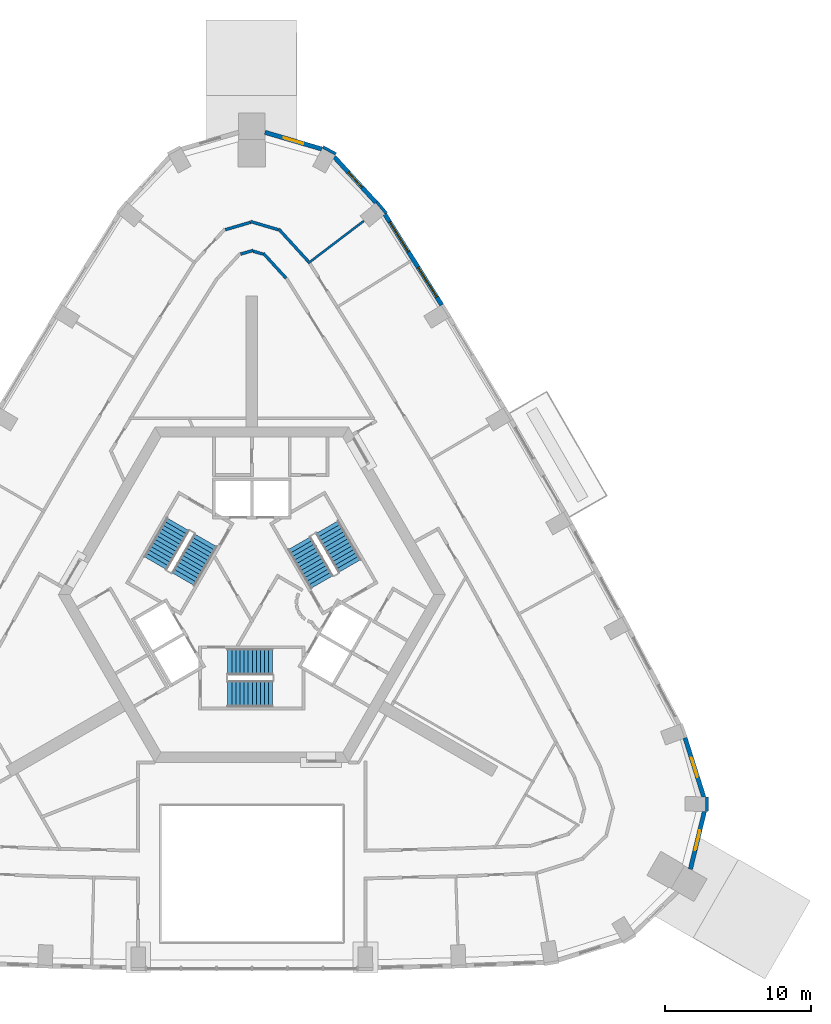
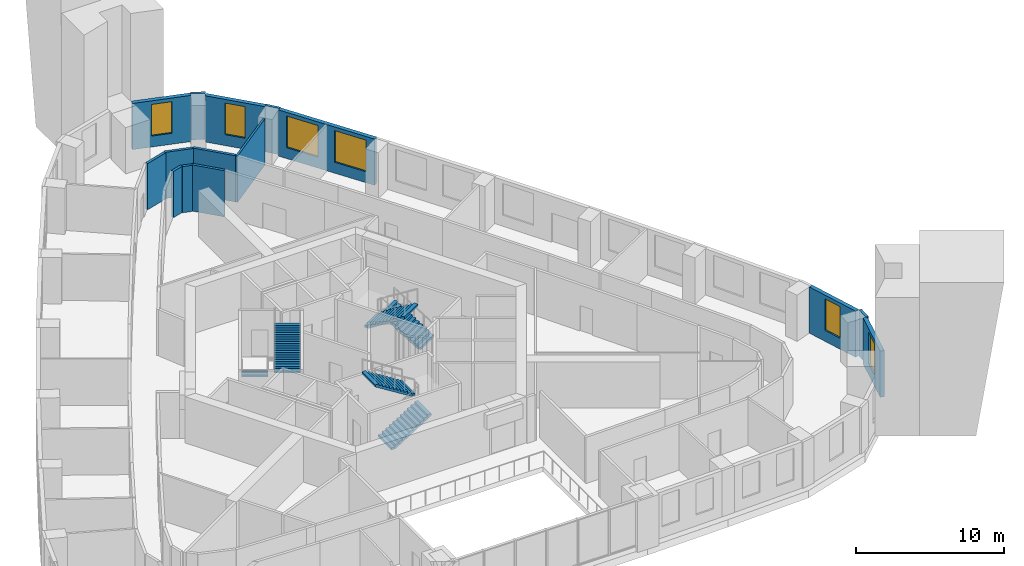
# One storey, part 10 of 13: 15 walls, 6 stair flights, 6 windows, 6 openings, 3 elements without a shape of their own.
"""IFC4 building model written with IfcOpenShell, lengths in metres."""

from ifc_helpers import new_model, si_unit, direction, frame, frame_2d, origin, place, context, subcontext, project, spatial, polyline, rectangle, outline, extrude, material, layer, layer_set, type_object, element, fill, aggregate, save


model = new_model("IFC4")

# Units and contexts
model_context = context("Model", 3, precision=1e-05, world=origin(), true_north=direction((0.0, 1.0)))
body_context = subcontext(model_context, "Body", "Model", "MODEL_VIEW")
ifc_project = project(units=[si_unit("LENGTHUNIT", "METRE"), si_unit("AREAUNIT", "SQUARE_METRE"), si_unit("VOLUMEUNIT", "CUBIC_METRE"), si_unit("PLANEANGLEUNIT", "RADIAN"), si_unit("MASSUNIT", "GRAM", prefix="KILO")], contexts=[model_context])

# Site, building, storey
site_placement = place(None, origin())
site = spatial("IfcSite", under=ifc_project, at=site_placement, CompositionType="ELEMENT")
building_placement = place(site_placement, origin())
building = spatial("IfcBuilding", under=site, at=building_placement, Name="Entoto Arch Interchange Tower", CompositionType="ELEMENT")
storey_placement = place(building_placement, frame((0.0, 0.0, 215.0)))
storey = spatial("IfcBuildingStorey", under=building, at=storey_placement, Name="L48", CompositionType="ELEMENT", Elevation=215.0)

# Walls
ifc_material_1 = material(Name="Gypsum board partition on steel studs", Category="steel")
ifc_layer_1 = layer(ifc_material_1, 0.14990234375)
ifc_layer_set_1 = layer_set([ifc_layer_1], Name="Gypsum board partition on steel studs")
wall_type_1 = type_object("IfcWallType", Name="PARTITION 150", PredefinedType="PARTITIONING", material=ifc_layer_set_1)
wall_1_placement = place(storey_placement, frame((3.85595703125, 25.22509765625, 0.0), z_axis=(0.0, 0.0, 1.0), x_axis=(0.795987848728, 0.605312600792, 0.0)))
element("IfcWall", 1, at=wall_1_placement, inside=storey, type_object=wall_type_1, Name="wall:L48:p122", PredefinedType="PARTITIONING", context=body_context, shape_type="SweptSolid", body=[
    extrude(rectangle(XDim=4.803955078125, YDim=0.14990234375, at=frame_2d((2.40185546875, 0.0))), origin(), (0.0, 0.0, 1.0), 3.800048828125),
])
ifc_layer_2 = layer(ifc_material_1, 0.199951171875)
ifc_layer_set_2 = layer_set([ifc_layer_2], Name="Gypsum board partition on steel studs")
wall_type_2 = type_object("IfcWallType", Name="PARTITION 200", PredefinedType="PARTITIONING", material=ifc_layer_set_2)
wall_2_placement = place(storey_placement, frame((2.35009765625, 24.205078125, 0.0), z_axis=(0.0, 0.0, 1.0), x_axis=(-0.67475930229, 0.738037860799, 0.0)))
element("IfcWall", 2, at=wall_2_placement, inside=storey, type_object=wall_type_2, Name="wall:L48:p008", PredefinedType="PARTITIONING", context=body_context, shape_type="SweptSolid", body=[
    extrude(rectangle(XDim=2.30322265625, YDim=0.199951171875, at=frame_2d((1.151611328125, 0.0))), origin(), (0.0, 0.0, 1.0), 3.800048828125),
])
wall_3_placement = place(storey_placement, frame((0.76806640625, 25.860107421875, 0.0), z_axis=(0.0, 0.0, 1.0), x_axis=(-0.959714481723, 0.280977069476, 0.0)))
element("IfcWall", 3, at=wall_3_placement, inside=storey, type_object=wall_type_2, Name="wall:L48:p009", PredefinedType="PARTITIONING", context=body_context, shape_type="SweptSolid", body=[
    extrude(rectangle(XDim=0.700439453125, YDim=0.199951171875, at=frame_2d((0.35009765625, 0.0))), origin(), (0.0, 0.0, 1.0), 3.800048828125),
])
wall_4_placement = place(storey_placement, frame((0.095947265625, 26.113037109375, 0.0), z_axis=(0.0, 0.0, 1.0), x_axis=(-0.959723140705, -0.280947491882, 0.0)))
element("IfcWall", 4, at=wall_4_placement, inside=storey, type_object=wall_type_2, Name="wall:L48:p010", PredefinedType="PARTITIONING", context=body_context, shape_type="SweptSolid", body=[
    extrude(rectangle(XDim=0.900390625, YDim=0.199951171875, at=frame_2d((0.4501953125, 0.0))), origin(), (0.0, 0.0, 1.0), 3.800048828125),
])
wall_5_placement = place(storey_placement, frame((-1.81298828125, 27.532958984375, 0.0), z_axis=(0.0, 0.0, 1.0), x_axis=(0.959495744111, 0.281723121227, 0.0)))
element("IfcWall", 5, at=wall_5_placement, inside=storey, type_object=wall_type_2, Name="wall:L48:p049", PredefinedType="PARTITIONING", context=body_context, shape_type="SweptSolid", body=[
    extrude(rectangle(XDim=1.78955078125, YDim=0.199951171875, at=frame_2d((0.894775390625, 0.0))), origin(), (0.0, 0.0, 1.0), 3.800048828125),
])
wall_6_placement = place(storey_placement, frame((-0.095947265625, 28.093994140625, 0.0), z_axis=(0.0, 0.0, 1.0), x_axis=(0.959422144877, -0.281973665293, 0.0)))
element("IfcWall", 6, at=wall_6_placement, inside=storey, type_object=wall_type_2, Name="wall:L48:p050", PredefinedType="PARTITIONING", context=body_context, shape_type="SweptSolid", body=[
    extrude(rectangle(XDim=1.98974609375, YDim=0.199951171875, at=frame_2d((0.994873046875, 0.0))), origin(), (0.0, 0.0, 1.0), 3.800048828125),
])
wall_7_placement = place(storey_placement, frame((1.841064453125, 27.5791015625, 0.0), z_axis=(0.0, 0.0, 1.0), x_axis=(0.674594755709, -0.738188265668, 0.0)))
element("IfcWall", 7, at=wall_7_placement, inside=storey, type_object=wall_type_2, Name="wall:L48:p051", PredefinedType="PARTITIONING", context=body_context, shape_type="SweptSolid", body=[
    extrude(rectangle(XDim=3.006103515625, YDim=0.199951171875, at=frame_2d((1.5029296875, 0.0))), origin(), (0.0, 0.0, 1.0), 3.800048828125),
])

# Wall, opening, window
ifc_material_2 = material(Name="Welded tuff (ignimbrite) cladding, warm buff", Category="masonry")
ifc_layer_3 = layer(ifc_material_2, 0.300048828125)
ifc_layer_set_3 = layer_set([ifc_layer_3], Name="Welded tuff (ignimbrite) cladding, warm buff")
wall_type_3 = type_object("IfcWallType", Name="STONE INFILL WALL 300", PredefinedType="STANDARD", material=ifc_layer_set_3)
wall_8_placement = place(storey_placement, frame((30.076904296875, -16.326904296875, 0.0), z_axis=(0.0, 0.0, 1.0), x_axis=(0.235766276378, 0.971809787419, 0.0)))
wall_8 = element("IfcWall", 8, at=wall_8_placement, inside=storey, type_object=wall_type_3, Name="Facade wall SE-03 L48", PredefinedType="STANDARD", context=body_context, shape_type="SweptSolid", body=[
    extrude(rectangle(XDim=4.076904296875, YDim=0.300048828125, at=frame_2d((2.03857421875, 0.0))), origin(), (0.0, 0.0, 1.0), 3.800048828125),
])
opening_1_placement = place(wall_8_placement, frame((1.337890625, 0.0, 0.89990234375)))
opening_1 = element("IfcOpeningElement", 9, at=opening_1_placement, cuts=wall_8, Name="Opening WO-B", PredefinedType="OPENING", context=body_context, shape_type="SweptSolid", body=[
    extrude(rectangle(XDim=1.39990234375, YDim=2.60009765625, at=frame_2d((0.699951171875, 1.300048828125))), frame((0.0, 0.16015625, 0.0), z_axis=(0.0, -1.0, 0.0), x_axis=(1.0, 0.0, 0.0)), (0.0, 0.0, 1.0), 0.320068359375),
])
ifc_material_3 = material(Name="Clear glass, low-e double glazed", Category="glass")
window_type_1 = type_object("IfcWindowType", Name="WINDOW WO-B 1400x2600", PartitioningType="DOUBLE_PANEL_VERTICAL", PredefinedType="WINDOW", material=ifc_material_3)
window_1_placement = place(opening_1_placement, origin())
window_1 = element("IfcWindow", 10, at=window_1_placement, inside=storey, type_object=window_type_1, Name="Window WO-B SE-03 L48", OverallHeight=2.60009765625, OverallWidth=1.39990234375, PartitioningType="SINGLE_PANEL", PredefinedType="WINDOW", context=body_context, shape_type="SweptSolid", body=[
    extrude(rectangle(XDim=1.39990234375, YDim=2.60009765625, at=frame_2d((0.699951171875, 1.300048828125))), frame((0.0, 0.030029296875, 0.0), z_axis=(0.0, -1.0, 0.0), x_axis=(1.0, 0.0, 0.0)), (0.0, 0.0, 1.0), 0.06005859375),
])
fill(opening_1, window_1)

wall_9_placement = place(storey_placement, frame((30.993896484375, -11.365966796875, 0.0), z_axis=(0.0, 0.0, 1.0), x_axis=(-0.302195467572, 0.953245980521, 0.0)))
wall_9 = element("IfcWall", 11, at=wall_9_placement, inside=storey, type_object=wall_type_3, Name="Facade wall SE-04 L48", PredefinedType="STANDARD", context=body_context, shape_type="SweptSolid", body=[
    extrude(rectangle(XDim=4.248779296875, YDim=0.300048828125, at=frame_2d((2.12451171875, 0.0))), origin(), (0.0, 0.0, 1.0), 3.800048828125),
])
opening_2_placement = place(wall_9_placement, frame((1.424072265625, 0.0, 0.89990234375)))
opening_2 = element("IfcOpeningElement", 12, at=opening_2_placement, cuts=wall_9, Name="Opening WO-B", PredefinedType="OPENING", context=body_context, shape_type="SweptSolid", body=[
    extrude(rectangle(XDim=1.39990234375, YDim=2.60009765625, at=frame_2d((0.699951171875, 1.300048828125))), frame((0.0, 0.16015625, 0.0), z_axis=(0.0, -1.0, 0.0), x_axis=(1.0, 0.0, 0.0)), (0.0, 0.0, 1.0), 0.320068359375),
])
window_2_placement = place(opening_2_placement, origin())
window_2 = element("IfcWindow", 13, at=window_2_placement, inside=storey, type_object=window_type_1, Name="Window WO-B SE-04 L48", OverallHeight=2.60009765625, OverallWidth=1.39990234375, PartitioningType="SINGLE_PANEL", PredefinedType="WINDOW", context=body_context, shape_type="SweptSolid", body=[
    extrude(rectangle(XDim=1.39990234375, YDim=2.60009765625, at=frame_2d((0.699951171875, 1.300048828125))), frame((0.0, 0.030029296875, 0.0), z_axis=(0.0, -1.0, 0.0), x_axis=(1.0, 0.0, 0.0)), (0.0, 0.0, 1.0), 0.06005859375),
])
fill(opening_2, window_2)

# Wall, openings, windows
wall_10_placement = place(storey_placement, frame((13.02099609375, 22.3740234375, 0.0), z_axis=(0.0, 0.0, 1.0), x_axis=(-0.531239262679, 0.847221839773, 0.0)))
wall_10 = element("IfcWall", 14, at=wall_10_placement, inside=storey, type_object=wall_type_3, Name="Facade wall NE-05 L48", PredefinedType="STANDARD", context=body_context, shape_type="SweptSolid", body=[
    extrude(rectangle(XDim=7.33935546875, YDim=0.300048828125, at=frame_2d((3.669677734375, 0.0))), origin(), (0.0, 0.0, 1.0), 3.800048828125),
])
opening_3_placement = place(wall_10_placement, frame((0.635009765625, 0.0, 0.89990234375)))
opening_3 = element("IfcOpeningElement", 15, at=opening_3_placement, cuts=wall_10, Name="Opening WO-A", PredefinedType="OPENING", context=body_context, shape_type="SweptSolid", body=[
    extrude(rectangle(XDim=2.39990234375, YDim=2.60009765625, at=frame_2d((1.199951171875, 1.300048828125))), frame((0.0, 0.16015625, 0.0), z_axis=(0.0, -1.0, 0.0), x_axis=(1.0, 0.0, 0.0)), (0.0, 0.0, 1.0), 0.320068359375),
])
opening_4_placement = place(wall_10_placement, frame((4.303955078125, 0.0, 0.89990234375)))
opening_4 = element("IfcOpeningElement", 16, at=opening_4_placement, cuts=wall_10, Name="Opening WO-A", PredefinedType="OPENING", context=body_context, shape_type="SweptSolid", body=[
    extrude(rectangle(XDim=2.39990234375, YDim=2.60009765625, at=frame_2d((1.199951171875, 1.300048828125))), frame((0.0, 0.16015625, 0.0), z_axis=(0.0, -1.0, 0.0), x_axis=(1.0, 0.0, 0.0)), (0.0, 0.0, 1.0), 0.320068359375),
])
window_type_2 = type_object("IfcWindowType", Name="WINDOW WO-A 2400x2600", PartitioningType="DOUBLE_PANEL_VERTICAL", PredefinedType="WINDOW", material=ifc_material_3)
window_3_placement = place(opening_3_placement, origin())
window_3 = element("IfcWindow", 17, at=window_3_placement, inside=storey, type_object=window_type_2, Name="Window WO-A NE-05 L48", OverallHeight=2.60009765625, OverallWidth=2.39990234375, PartitioningType="SINGLE_PANEL", PredefinedType="WINDOW", context=body_context, shape_type="SweptSolid", body=[
    extrude(rectangle(XDim=2.39990234375, YDim=2.60009765625, at=frame_2d((1.199951171875, 1.300048828125))), frame((0.0, 0.030029296875, 0.0), z_axis=(0.0, -1.0, 0.0), x_axis=(1.0, 0.0, 0.0)), (0.0, 0.0, 1.0), 0.06005859375),
])
fill(opening_3, window_3)
window_4_placement = place(opening_4_placement, origin())
window_4 = element("IfcWindow", 18, at=window_4_placement, inside=storey, type_object=window_type_2, Name="Window WO-A NE-05 L48", OverallHeight=2.60009765625, OverallWidth=2.39990234375, PartitioningType="SINGLE_PANEL", PredefinedType="WINDOW", context=body_context, shape_type="SweptSolid", body=[
    extrude(rectangle(XDim=2.39990234375, YDim=2.60009765625, at=frame_2d((1.199951171875, 1.300048828125))), frame((0.0, 0.030029296875, 0.0), z_axis=(0.0, -1.0, 0.0), x_axis=(1.0, 0.0, 0.0)), (0.0, 0.0, 1.0), 0.06005859375),
])
fill(opening_4, window_4)

# Wall, opening, window
wall_11_placement = place(storey_placement, frame((8.51806640625, 29.387939453125, 0.0), z_axis=(0.0, 0.0, 1.0), x_axis=(-0.674487390017, 0.738286367684, 0.0)))
wall_11 = element("IfcWall", 19, at=wall_11_placement, inside=storey, type_object=wall_type_3, Name="Facade wall N-01 L48", PredefinedType="STANDARD", context=body_context, shape_type="SweptSolid", body=[
    extrude(rectangle(XDim=4.24755859375, YDim=0.300048828125, at=frame_2d((2.123779296875, 0.0))), origin(), (0.0, 0.0, 1.0), 3.800048828125),
])
opening_5_placement = place(wall_11_placement, frame((1.424072265625, 0.0, 0.89990234375)))
opening_5 = element("IfcOpeningElement", 20, at=opening_5_placement, cuts=wall_11, Name="Opening WO-B", PredefinedType="OPENING", context=body_context, shape_type="SweptSolid", body=[
    extrude(rectangle(XDim=1.39990234375, YDim=2.60009765625, at=frame_2d((0.699951171875, 1.300048828125))), frame((0.0, 0.16015625, 0.0), z_axis=(0.0, -1.0, 0.0), x_axis=(1.0, 0.0, 0.0)), (0.0, 0.0, 1.0), 0.320068359375),
])
window_5_placement = place(opening_5_placement, origin())
window_5 = element("IfcWindow", 21, at=window_5_placement, inside=storey, type_object=window_type_1, Name="Window WO-B N-01 L48", OverallHeight=2.60009765625, OverallWidth=1.39990234375, PartitioningType="SINGLE_PANEL", PredefinedType="WINDOW", context=body_context, shape_type="SweptSolid", body=[
    extrude(rectangle(XDim=1.39990234375, YDim=2.60009765625, at=frame_2d((0.699951171875, 1.300048828125))), frame((0.0, 0.030029296875, 0.0), z_axis=(0.0, -1.0, 0.0), x_axis=(1.0, 0.0, 0.0)), (0.0, 0.0, 1.0), 0.06005859375),
])
fill(opening_5, window_5)

wall_12_placement = place(storey_placement, frame((4.81005859375, 33.06201171875, 0.0), z_axis=(0.0, 0.0, 1.0), x_axis=(-0.959458909918, 0.281848541203, 0.0)))
wall_12 = element("IfcWall", 22, at=wall_12_placement, inside=storey, type_object=wall_type_3, Name="Facade wall N-02 L48", PredefinedType="STANDARD", context=body_context, shape_type="SweptSolid", body=[
    extrude(rectangle(XDim=4.076416015625, YDim=0.300048828125, at=frame_2d((2.0380859375, 0.0))), origin(), (0.0, 0.0, 1.0), 3.800048828125),
])
opening_6_placement = place(wall_12_placement, frame((1.337890625, 0.0, 0.89990234375)))
opening_6 = element("IfcOpeningElement", 23, at=opening_6_placement, cuts=wall_12, Name="Opening WO-B", PredefinedType="OPENING", context=body_context, shape_type="SweptSolid", body=[
    extrude(rectangle(XDim=1.39990234375, YDim=2.60009765625, at=frame_2d((0.699951171875, 1.300048828125))), frame((0.0, 0.16015625, 0.0), z_axis=(0.0, -1.0, 0.0), x_axis=(1.0, 0.0, 0.0)), (0.0, 0.0, 1.0), 0.320068359375),
])
window_6_placement = place(opening_6_placement, origin())
window_6 = element("IfcWindow", 24, at=window_6_placement, inside=storey, type_object=window_type_1, Name="Window WO-B N-02 L48", OverallHeight=2.60009765625, OverallWidth=1.39990234375, PartitioningType="SINGLE_PANEL", PredefinedType="WINDOW", context=body_context, shape_type="SweptSolid", body=[
    extrude(rectangle(XDim=1.39990234375, YDim=2.60009765625, at=frame_2d((0.699951171875, 1.300048828125))), frame((0.0, 0.030029296875, 0.0), z_axis=(0.0, -1.0, 0.0), x_axis=(1.0, 0.0, 0.0)), (0.0, 0.0, 1.0), 0.06005859375),
])
fill(opening_6, window_6)

# Walls
ifc_layer_4 = layer(ifc_material_2, 0.199951171875)
ifc_layer_set_4 = layer_set([ifc_layer_4], Name="Welded tuff (ignimbrite) cladding, warm buff")
wall_type_4 = type_object("IfcWallType", Name="STONE PIER CLADDING 200", PredefinedType="STANDARD", material=ifc_layer_set_4)
wall_13_placement = place(storey_placement, frame((5.763916015625, 32.72607421875, 0.0), z_axis=(0.0, 0.0, 1.0), x_axis=(-0.878250009632, 0.478201757191, 0.0)))
element("IfcWall", 25, at=wall_13_placement, inside=storey, type_object=wall_type_4, Name="Stone pier N1 L48", PredefinedType="STANDARD", context=body_context, shape_type="SweptSolid", body=[
    extrude(rectangle(XDim=0.999755859375, YDim=0.199951171875, at=frame_2d((0.5, 0.0))), origin(), (0.0, 0.0, 1.0), 3.800048828125),
])
wall_14_placement = place(storey_placement, frame((9.212890625, 28.666015625, 0.0), z_axis=(0.0, 0.0, 1.0), x_axis=(-0.637972365578, 0.770059257953, 0.0)))
element("IfcWall", 26, at=wall_14_placement, inside=storey, type_object=wall_type_4, Name="Stone pier NE06 L48", PredefinedType="STANDARD", context=body_context, shape_type="SweptSolid", body=[
    extrude(rectangle(XDim=1.0, YDim=0.199951171875, at=frame_2d((0.5, 0.0))), origin(), (0.0, 0.0, 1.0), 3.800048828125),
])
wall_15_placement = place(storey_placement, frame((31.199951171875, -12.3701171875, 0.0), z_axis=(0.0, 0.0, 1.0), x_axis=(0.024186470916, 0.999707464524, 0.0)))
element("IfcWall", 27, at=wall_15_placement, inside=storey, type_object=wall_type_4, Name="Stone pier SE3 L48", PredefinedType="STANDARD", context=body_context, shape_type="SweptSolid", body=[
    extrude(rectangle(XDim=0.999267578125, YDim=0.199951171875, at=frame_2d((0.49951171875, 0.0))), origin(), (0.0, 0.0, 1.0), 3.800048828125),
])

# Stair, stair flights
ifc_material_4 = material(Name="Concrete C40/50", Category="concrete")
stair_type = type_object("IfcStairType", Name="EXIT STAIR RC 1800", PredefinedType="HALF_TURN_STAIR", material=ifc_material_4)
stair_1_placement = place(storey_placement, origin())
stair_1 = element("IfcStair", 28, at=stair_1_placement, inside=storey, type_object=stair_type, Name="L48 Exit stair S", PredefinedType="HALF_TURN_STAIR")
stair_flight_type = type_object("IfcStairFlightType", Name="EXIT STAIR FLIGHT RC 1800", PredefinedType="STRAIGHT", material=ifc_material_4)
stair_flight_1_placement = place(storey_placement, frame((-1.64990234375, -4.300048828125, 0.0), z_axis=(0.0, 0.0, 1.0), x_axis=(1.0, 0.0, 0.0)))
stair_flight_1 = element("IfcStairFlight", 29, at=stair_flight_1_placement, type_object=stair_flight_type, Name="ST-S flight 1", NumberOfRisers=12, NumberOfTreads=11, PredefinedType="STRAIGHT", RiserHeight=0.175, TreadLength=0.28, context=body_context, shape_type="SweptSolid", body=[
    extrude(outline(polyline([(-0.0029296875, 0.0), (-0.0029296875, 0.175048828125), (0.280029296875, 0.175048828125), (0.280029296875, 0.35009765625), (0.56005859375, 0.35009765625), (0.56005859375, 0.52490234375), (0.840087890625, 0.52490234375), (0.840087890625, 0.699951171875), (1.1201171875, 0.699951171875), (1.1201171875, 0.875), (1.39990234375, 0.875), (1.39990234375, 1.050048828125), (1.679931640625, 1.050048828125), (1.679931640625, 1.22509765625), (1.9599609375, 1.22509765625), (1.9599609375, 1.39990234375), (2.239990234375, 1.39990234375), (2.239990234375, 1.574951171875), (2.52001953125, 1.574951171875), (2.52001953125, 1.75), (2.800048828125, 1.75), (2.800048828125, 1.925048828125), (3.080078125, 1.925048828125), (3.0830078125, 1.925048828125), (3.0830078125, 1.75), (0.28271484375, 0.0), (-0.0029296875, 0.0)])), frame((0.0, 0.89990234375, 0.0), z_axis=(0.0, -1.0, 0.0), x_axis=(1.0, 0.0, 0.0)), (0.0, 0.0, 1.0), 1.800048828125),
])
stair_flight_2_placement = place(storey_placement, frame((1.429931640625, -2.10009765625, 2.10009765625), z_axis=(0.0, 0.0, 1.0), x_axis=(-1.0, 0.0, 0.0)))
stair_flight_2 = element("IfcStairFlight", 30, at=stair_flight_2_placement, type_object=stair_flight_type, Name="ST-S flight 2", NumberOfRisers=12, NumberOfTreads=11, PredefinedType="STRAIGHT", RiserHeight=0.175, TreadLength=0.28, context=body_context, shape_type="SweptSolid", body=[
    extrude(outline(polyline([(-0.0029296875, 0.0), (-0.0029296875, 0.175048828125), (0.280029296875, 0.175048828125), (0.280029296875, 0.35009765625), (0.56005859375, 0.35009765625), (0.56005859375, 0.52490234375), (0.840087890625, 0.52490234375), (0.840087890625, 0.699951171875), (1.1201171875, 0.699951171875), (1.1201171875, 0.875), (1.39990234375, 0.875), (1.39990234375, 1.050048828125), (1.679931640625, 1.050048828125), (1.679931640625, 1.22509765625), (1.9599609375, 1.22509765625), (1.9599609375, 1.39990234375), (2.239990234375, 1.39990234375), (2.239990234375, 1.574951171875), (2.52001953125, 1.574951171875), (2.52001953125, 1.75), (2.800048828125, 1.75), (2.800048828125, 1.925048828125), (3.080078125, 1.925048828125), (3.0830078125, 1.925048828125), (3.0830078125, 1.75), (0.28271484375, 0.0), (-0.0029296875, 0.0)])), frame((0.0, 0.89990234375, 0.0), z_axis=(0.0, -1.0, 0.0), x_axis=(1.0, 0.0, 0.0)), (0.0, 0.0, 1.0), 1.800048828125),
])
aggregate(stair_1, [stair_flight_1, stair_flight_2])

stair_2_placement = place(storey_placement, origin())
stair_2 = element("IfcStair", 31, at=stair_2_placement, inside=storey, type_object=stair_type, Name="L48 Exit stair NE", PredefinedType="HALF_TURN_STAIR")
stair_flight_3_placement = place(storey_placement, frame((6.7138671875, 4.470947265625, 0.0), z_axis=(0.0, 0.0, 1.0), x_axis=(-0.5, 0.866025403784, 0.0)))
stair_flight_3 = element("IfcStairFlight", 32, at=stair_flight_3_placement, type_object=stair_flight_type, Name="ST-NE flight 1", NumberOfRisers=12, NumberOfTreads=11, PredefinedType="STRAIGHT", RiserHeight=0.175, TreadLength=0.28, context=body_context, shape_type="SweptSolid", body=[
    extrude(outline(polyline([(-0.0029296875, 0.0), (-0.0029296875, 0.175048828125), (0.280029296875, 0.175048828125), (0.280029296875, 0.35009765625), (0.56005859375, 0.35009765625), (0.56005859375, 0.52490234375), (0.840087890625, 0.52490234375), (0.840087890625, 0.699951171875), (1.1201171875, 0.699951171875), (1.1201171875, 0.875), (1.39990234375, 0.875), (1.39990234375, 1.050048828125), (1.679931640625, 1.050048828125), (1.679931640625, 1.22509765625), (1.9599609375, 1.22509765625), (1.9599609375, 1.39990234375), (2.239990234375, 1.39990234375), (2.239990234375, 1.574951171875), (2.52001953125, 1.574951171875), (2.52001953125, 1.75), (2.800048828125, 1.75), (2.800048828125, 1.925048828125), (3.080078125, 1.925048828125), (3.0830078125, 1.925048828125), (3.0830078125, 1.75), (0.28271484375, 0.0), (-0.0029296875, 0.0)])), frame((0.0, 0.89990234375, 0.0), z_axis=(0.0, -1.0, 0.0), x_axis=(1.0, 0.0, 0.0)), (0.0, 0.0, 1.0), 1.800048828125),
])
stair_flight_4_placement = place(storey_placement, frame((3.268798828125, 6.038330078125, 2.10009765625), z_axis=(0.0, 0.0, 1.0), x_axis=(0.5, -0.866025403784, 0.0)))
stair_flight_4 = element("IfcStairFlight", 33, at=stair_flight_4_placement, type_object=stair_flight_type, Name="ST-NE flight 2", NumberOfRisers=12, NumberOfTreads=11, PredefinedType="STRAIGHT", RiserHeight=0.175, TreadLength=0.28, context=body_context, shape_type="SweptSolid", body=[
    extrude(outline(polyline([(-0.0029296875, 0.0), (-0.0029296875, 0.175048828125), (0.280029296875, 0.175048828125), (0.280029296875, 0.35009765625), (0.56005859375, 0.35009765625), (0.56005859375, 0.52490234375), (0.840087890625, 0.52490234375), (0.840087890625, 0.699951171875), (1.1201171875, 0.699951171875), (1.1201171875, 0.875), (1.39990234375, 0.875), (1.39990234375, 1.050048828125), (1.679931640625, 1.050048828125), (1.679931640625, 1.22509765625), (1.9599609375, 1.22509765625), (1.9599609375, 1.39990234375), (2.239990234375, 1.39990234375), (2.239990234375, 1.574951171875), (2.52001953125, 1.574951171875), (2.52001953125, 1.75), (2.800048828125, 1.75), (2.800048828125, 1.925048828125), (3.080078125, 1.925048828125), (3.0830078125, 1.925048828125), (3.0830078125, 1.75), (0.28271484375, 0.0), (-0.0029296875, 0.0)])), frame((0.0, 0.89990234375, 0.0), z_axis=(0.0, -1.0, 0.0), x_axis=(1.0, 0.0, 0.0)), (0.0, 0.0, 1.0), 1.800048828125),
])
aggregate(stair_2, [stair_flight_3, stair_flight_4])

stair_3_placement = place(storey_placement, origin())
stair_3 = element("IfcStair", 34, at=stair_3_placement, inside=storey, type_object=stair_type, Name="L48 Exit stair NW", PredefinedType="HALF_TURN_STAIR")
stair_flight_5_placement = place(storey_placement, frame((-5.06396484375, 7.328857421875, 0.0), z_axis=(0.0, 0.0, 1.0), x_axis=(-0.5, -0.866025403784, 0.0)))
stair_flight_5 = element("IfcStairFlight", 35, at=stair_flight_5_placement, type_object=stair_flight_type, Name="ST-NW flight 1", NumberOfRisers=12, NumberOfTreads=11, PredefinedType="STRAIGHT", RiserHeight=0.175, TreadLength=0.28, context=body_context, shape_type="SweptSolid", body=[
    extrude(outline(polyline([(-0.0029296875, 0.0), (-0.0029296875, 0.175048828125), (0.280029296875, 0.175048828125), (0.280029296875, 0.35009765625), (0.56005859375, 0.35009765625), (0.56005859375, 0.52490234375), (0.840087890625, 0.52490234375), (0.840087890625, 0.699951171875), (1.1201171875, 0.699951171875), (1.1201171875, 0.875), (1.39990234375, 0.875), (1.39990234375, 1.050048828125), (1.679931640625, 1.050048828125), (1.679931640625, 1.22509765625), (1.9599609375, 1.22509765625), (1.9599609375, 1.39990234375), (2.239990234375, 1.39990234375), (2.239990234375, 1.574951171875), (2.52001953125, 1.574951171875), (2.52001953125, 1.75), (2.800048828125, 1.75), (2.800048828125, 1.925048828125), (3.080078125, 1.925048828125), (3.0830078125, 1.925048828125), (3.0830078125, 1.75), (0.28271484375, 0.0), (-0.0029296875, 0.0)])), frame((0.0, 0.89990234375, 0.0), z_axis=(0.0, -1.0, 0.0), x_axis=(1.0, 0.0, 0.0)), (0.0, 0.0, 1.0), 1.800048828125),
])
stair_flight_6_placement = place(storey_placement, frame((-4.69873046875, 3.5615234375, 2.10009765625), z_axis=(0.0, 0.0, 1.0), x_axis=(0.5, 0.866025403784, 0.0)))
stair_flight_6 = element("IfcStairFlight", 36, at=stair_flight_6_placement, type_object=stair_flight_type, Name="ST-NW flight 2", NumberOfRisers=12, NumberOfTreads=11, PredefinedType="STRAIGHT", RiserHeight=0.175, TreadLength=0.28, context=body_context, shape_type="SweptSolid", body=[
    extrude(outline(polyline([(-0.0029296875, 0.0), (-0.0029296875, 0.175048828125), (0.280029296875, 0.175048828125), (0.280029296875, 0.35009765625), (0.56005859375, 0.35009765625), (0.56005859375, 0.52490234375), (0.840087890625, 0.52490234375), (0.840087890625, 0.699951171875), (1.1201171875, 0.699951171875), (1.1201171875, 0.875), (1.39990234375, 0.875), (1.39990234375, 1.050048828125), (1.679931640625, 1.050048828125), (1.679931640625, 1.22509765625), (1.9599609375, 1.22509765625), (1.9599609375, 1.39990234375), (2.239990234375, 1.39990234375), (2.239990234375, 1.574951171875), (2.52001953125, 1.574951171875), (2.52001953125, 1.75), (2.800048828125, 1.75), (2.800048828125, 1.925048828125), (3.080078125, 1.925048828125), (3.0830078125, 1.925048828125), (3.0830078125, 1.75), (0.28271484375, 0.0), (-0.0029296875, 0.0)])), frame((0.0, 0.89990234375, 0.0), z_axis=(0.0, -1.0, 0.0), x_axis=(1.0, 0.0, 0.0)), (0.0, 0.0, 1.0), 1.800048828125),
])
aggregate(stair_3, [stair_flight_5, stair_flight_6])

save(model, "model.ifc")
